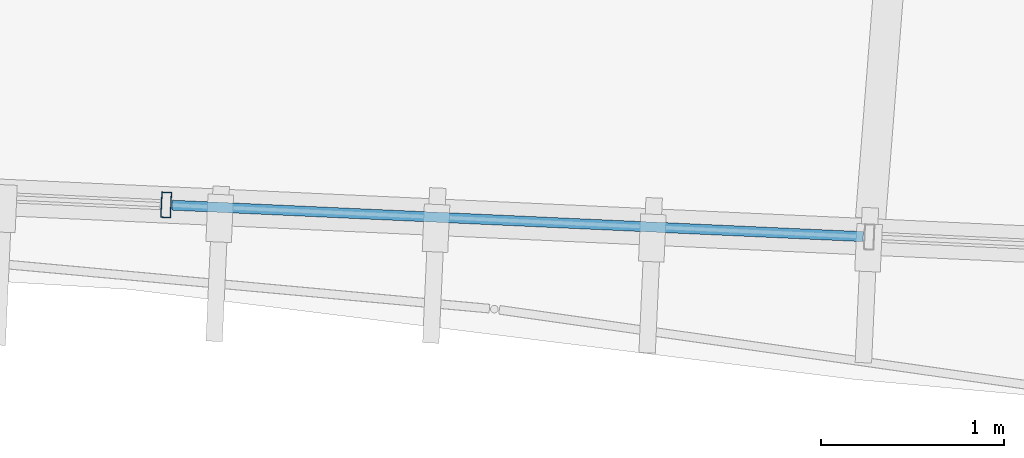
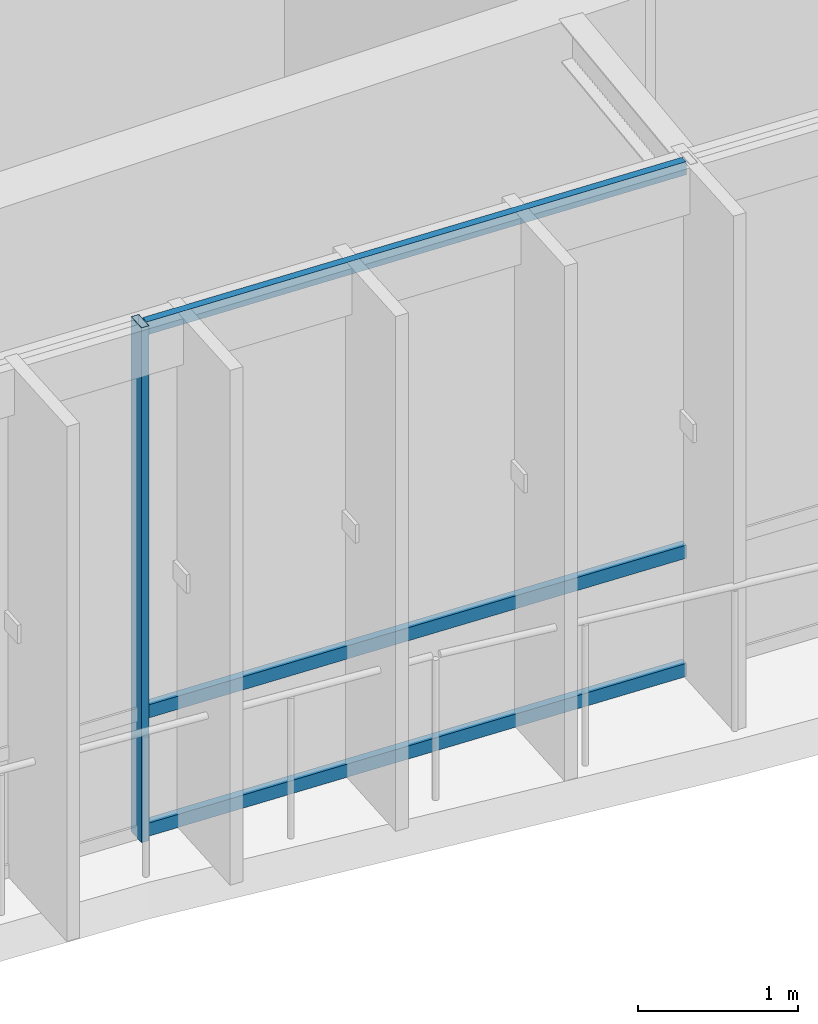
# One storey, part 14 of 78: 4 members, 1 element without a shape of its own.
"""IFC4 building model written with IfcOpenShell, lengths in metres."""

from ifc_helpers import new_model, si_unit, direction, frame, origin, origin_2d, place, context, subcontext, project, spatial, hollow_rectangle, extrude, material, material_profile, profile_set, type_object, element, aggregate, save


model = new_model("IFC4")

# Units and contexts
model_context = context("Model", 3, precision=1e-05, world=origin(), true_north=direction((0.0, 1.0)))
body_context = subcontext(model_context, "Body", "Model", "MODEL_VIEW")
ifc_project = project(units=[si_unit("LENGTHUNIT", "METRE"), si_unit("AREAUNIT", "SQUARE_METRE"), si_unit("VOLUMEUNIT", "CUBIC_METRE"), si_unit("PLANEANGLEUNIT", "RADIAN"), si_unit("MASSUNIT", "GRAM", prefix="KILO"), si_unit("THERMODYNAMICTEMPERATUREUNIT", "KELVIN"), si_unit("POWERUNIT", "WATT")], contexts=[model_context])

# Site, building, storey
site_placement = place(None, origin())
site = spatial("IfcSite", under=ifc_project, at=site_placement, CompositionType="ELEMENT")
building_placement = place(site_placement, origin())
building = spatial("IfcBuilding", under=site, at=building_placement, Name="Darbajah Civic Hall", CompositionType="ELEMENT")
storey_placement = place(building_placement, frame((0.0, 0.0, 26.39990234375)))
storey = spatial("IfcBuildingStorey", under=building, at=storey_placement, Name="L06", CompositionType="ELEMENT", Elevation=26.39990234375)

# Curtain wall, members
ifc_material_1 = material(Name="Anodised Bronze Aluminium and Low-E Glazing", Category="aluminium")
curtain_wall_type = type_object("IfcCurtainWallType", Name="Unitised Curtain Wall CW-84 15400x3900", PredefinedType="USERDEFINED", material=ifc_material_1)
curtain_wall_placement = place(storey_placement, origin())
curtain_wall = element("IfcCurtainWall", 1, at=curtain_wall_placement, inside=storey, type_object=curtain_wall_type, Name="L06 unitised curtain wall CW-V1O-L06-14", ObjectType="UNITISED CURTAIN WALL", PredefinedType="USERDEFINED")
ifc_material_2 = material(Name="Anodised Bronze Aluminium", Category="aluminium")
ifc_material_profile_1 = material_profile(ifc_material_2, hollow_rectangle(XDim=0.054931640625, YDim=0.139892578125, WallThickness=0.003173828125, at=origin_2d()), Name="ALU MULLION 55x140")
ifc_profile_set_1 = profile_set([ifc_material_profile_1], Name="Anodised Bronze Aluminium")
member_type_1 = type_object("IfcMemberType", Name="ALU MULLION 55x140", PredefinedType="MULLION", material=ifc_profile_set_1)
member_1_placement = place(storey_placement, frame((81.296875, 60.92822265625, 0.0), z_axis=(0.0, 0.0, 1.0), x_axis=(0.998962637241, -0.045537340693, 0.0)))
member_1 = element("IfcMember", 2, at=member_1_placement, type_object=member_type_1, Name="CW-V1O-L06-14 mullion 2", PredefinedType="MULLION", context=body_context, shape_type="SweptSolid", body=[
    extrude(hollow_rectangle(XDim=0.054931640625, YDim=0.139892578125, WallThickness=0.003173828125, at=origin_2d()), origin(), (0.0, 0.0, 1.0), 3.920166015625),
])
ifc_material_profile_2 = material_profile(ifc_material_2, hollow_rectangle(XDim=0.054931640625, YDim=0.10009765625, WallThickness=0.0029296875, at=origin_2d()), Name="ALU TRANSOM 55x100")
ifc_profile_set_2 = profile_set([ifc_material_profile_2], Name="Anodised Bronze Aluminium")
member_type_2 = type_object("IfcMemberType", Name="ALU TRANSOM 55x100", PredefinedType="USERDEFINED", material=ifc_profile_set_2)
member_2_placement = place(storey_placement, frame((81.329345703125, 60.9267578125, 0.050048828125), z_axis=(0.998965350147, -0.045477788058, 0.0), x_axis=(0.045477788058, 0.998965350147, 0.0)))
member_2 = element("IfcMember", 3, at=member_2_placement, type_object=member_type_2, Name="CW-V1O-L06-14 transom 2.1", ObjectType="TRANSOM", PredefinedType="USERDEFINED", context=body_context, shape_type="SweptSolid", body=[
    extrude(hollow_rectangle(XDim=0.054931640625, YDim=0.10009765625, WallThickness=0.0029296875, at=origin_2d()), origin(), (0.0, 0.0, 1.0), 3.7900390625),
])
member_3_placement = place(storey_placement, frame((81.329345703125, 60.9267578125, 0.9501953125), z_axis=(0.998965350147, -0.045477788058, 0.0), x_axis=(0.045477788058, 0.998965350147, 0.0)))
member_3 = element("IfcMember", 4, at=member_3_placement, type_object=member_type_2, Name="CW-V1O-L06-14 transom 2.2", ObjectType="TRANSOM", PredefinedType="USERDEFINED", context=body_context, shape_type="SweptSolid", body=[
    extrude(hollow_rectangle(XDim=0.054931640625, YDim=0.10009765625, WallThickness=0.0029296875, at=origin_2d()), origin(), (0.0, 0.0, 1.0), 3.7900390625),
])
member_4_placement = place(storey_placement, frame((81.329345703125, 60.9267578125, 3.8701171875), z_axis=(0.998965350147, -0.045477788058, 0.0), x_axis=(0.045477788058, 0.998965350147, 0.0)))
member_4 = element("IfcMember", 5, at=member_4_placement, type_object=member_type_2, Name="CW-V1O-L06-14 transom 2.3", ObjectType="TRANSOM", PredefinedType="USERDEFINED", context=body_context, shape_type="SweptSolid", body=[
    extrude(hollow_rectangle(XDim=0.054931640625, YDim=0.10009765625, WallThickness=0.0029296875, at=origin_2d()), origin(), (0.0, 0.0, 1.0), 3.7900390625),
])
aggregate(curtain_wall, [member_1, member_2, member_3, member_4])

save(model, "model.ifc")
